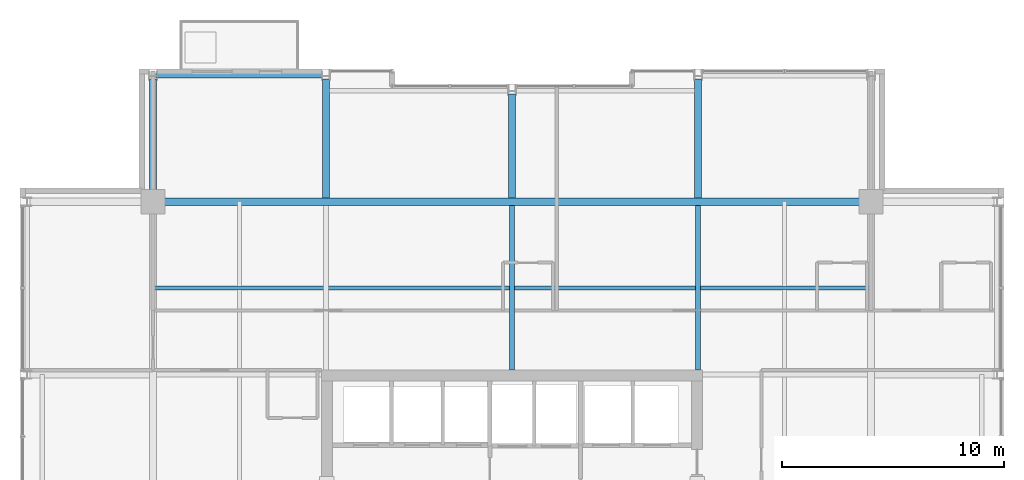
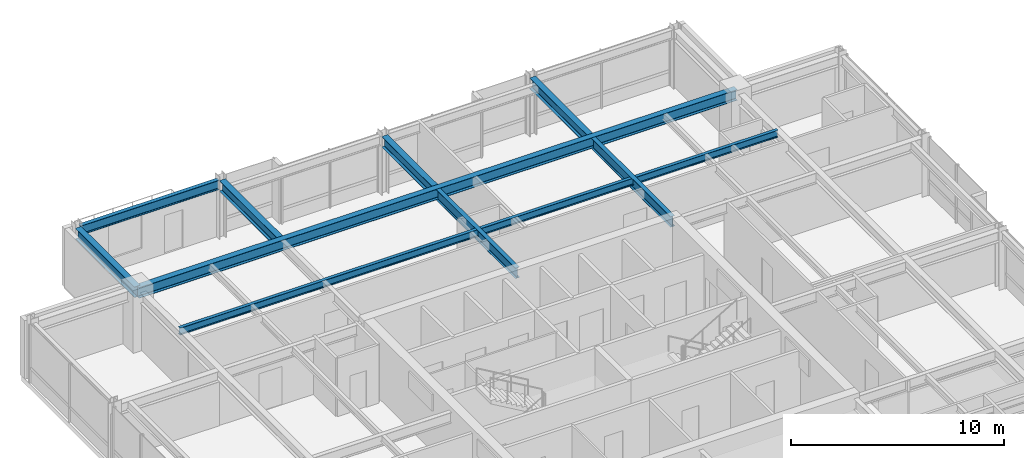
# One storey, part 20 of 32: 9 beams.
"""IFC4 building model written with IfcOpenShell, lengths in metres."""

from ifc_helpers import new_model, si_unit, direction, frame, origin, origin_2d, place, context, subcontext, project, spatial, i_section, extrude, material, material_profile, profile_set, type_object, element, save


model = new_model("IFC4")

# Units and contexts
model_context = context("Model", 3, precision=1e-05, world=origin(), true_north=direction((0.0, 1.0)))
body_context = subcontext(model_context, "Body", "Model", "MODEL_VIEW")
ifc_project = project(units=[si_unit("LENGTHUNIT", "METRE"), si_unit("AREAUNIT", "SQUARE_METRE"), si_unit("VOLUMEUNIT", "CUBIC_METRE"), si_unit("PLANEANGLEUNIT", "RADIAN"), si_unit("MASSUNIT", "GRAM", prefix="KILO")], contexts=[model_context])

# Site, building, storey
site_placement = place(None, origin())
site = spatial("IfcSite", under=ifc_project, at=site_placement, CompositionType="ELEMENT")
building_placement = place(site_placement, origin())
building = spatial("IfcBuilding", under=site, at=building_placement, Name="Drelvath Grand Hotel", CompositionType="ELEMENT")
storey_placement = place(building_placement, frame((0.0, 0.0, 223.10009765625)))
storey = spatial("IfcBuildingStorey", under=building, at=storey_placement, Name="L58", CompositionType="ELEMENT", Elevation=223.10009765625)

# Beams
ifc_material = material(Name="Steel ASTM A992 Gr 50", Category="steel")
ifc_material_profile_1 = material_profile(ifc_material, i_section(OverallWidth=0.177734375, OverallDepth=0.40673828125, WebThickness=0.0078125, FlangeThickness=0.0126953125, FilletRadius=0.014892578125, at=origin_2d()), Name="W16X40")
ifc_profile_set_1 = profile_set([ifc_material_profile_1], Name="Steel ASTM A992 Gr 50")
beam_type_1 = type_object("IfcBeamType", Name="Composite Floor Joist W16X40", PredefinedType="JOIST", material=ifc_profile_set_1)
beam_1_placement = place(storey_placement, frame((-16.199951171875, 39.300048828125, 3.136474609375), z_axis=(1.0, 0.0, 0.0), x_axis=(0.0, 1.0, 0.0)))
element("IfcBeam", 1, at=beam_1_placement, inside=storey, type_object=beam_type_1, Name="L58 Floor Joist J2", PredefinedType="JOIST", context=body_context, shape_type="SweptSolid", body=[
    extrude(i_section(OverallWidth=0.177734375, OverallDepth=0.40673828125, WebThickness=0.0078125, FlangeThickness=0.0126953125, FilletRadius=0.014892578125, at=origin_2d()), origin(), (0.0, 0.0, 1.0), 32.39990234375),
])
ifc_material_profile_2 = material_profile(ifc_material, i_section(OverallWidth=0.210205078125, OverallDepth=0.53662109375, WebThickness=0.010986328125, FlangeThickness=0.017333984375, FilletRadius=0.01806640625, at=origin_2d()), Name="W21X68")
ifc_profile_set_2 = profile_set([ifc_material_profile_2], Name="Steel ASTM A992 Gr 50")
beam_type_2 = type_object("IfcBeamType", Name="Perimeter Spandrel Beam W21X68", PredefinedType="SPANDREL", material=ifc_profile_set_2)
beam_2_placement = place(storey_placement, frame((-16.06005859375, 48.8798828125, 3.071533203125), z_axis=(1.0, 0.0, 0.0), x_axis=(0.0, 1.0, 0.0)))
element("IfcBeam", 2, at=beam_2_placement, inside=storey, type_object=beam_type_2, Name="L58 Spandrel North W", PredefinedType="SPANDREL", context=body_context, shape_type="SweptSolid", body=[
    extrude(i_section(OverallWidth=0.210205078125, OverallDepth=0.53662109375, WebThickness=0.010986328125, FlangeThickness=0.017333984375, FilletRadius=0.01806640625, at=origin_2d()), origin(), (0.0, 0.0, 1.0), 7.52001953125),
])
ifc_material_profile_3 = material_profile(ifc_material, i_section(OverallWidth=0.323974609375, OverallDepth=0.611083984375, WebThickness=0.0126953125, FlangeThickness=0.01904296875, FilletRadius=0.02197265625, at=origin_2d()), Name="W24X104")
ifc_profile_set_3 = profile_set([ifc_material_profile_3], Name="Steel ASTM A992 Gr 50")
beam_type_3 = type_object("IfcBeamType", Name="Primary Floor Girder W24X104", PredefinedType="BEAM", material=ifc_profile_set_3)
beam_3_placement = place(storey_placement, frame((-16.199951171875, 43.199951171875, 3.034423828125), z_axis=(1.0, 0.0, 0.0), x_axis=(0.0, 1.0, 0.0)))
element("IfcBeam", 3, at=beam_3_placement, inside=storey, type_object=beam_type_3, Name="L58 Mega Ring Girder North", PredefinedType="BEAM", context=body_context, shape_type="SweptSolid", body=[
    extrude(i_section(OverallWidth=0.323974609375, OverallDepth=0.611083984375, WebThickness=0.0126953125, FlangeThickness=0.01904296875, FilletRadius=0.02197265625, at=origin_2d()), origin(), (0.0, 0.0, 1.0), 32.39990234375),
])
beam_4_placement = place(storey_placement, frame((-16.199951171875, 43.199951171875, 3.034423828125), z_axis=(0.0, 1.0, 0.0), x_axis=(-1.0, 0.0, 0.0)))
element("IfcBeam", 4, at=beam_4_placement, inside=storey, type_object=beam_type_3, Name="L58 North Grid Girder 3", PredefinedType="BEAM", context=body_context, shape_type="SweptSolid", body=[
    extrude(i_section(OverallWidth=0.323974609375, OverallDepth=0.611083984375, WebThickness=0.0126953125, FlangeThickness=0.01904296875, FilletRadius=0.02197265625, at=origin_2d()), origin(), (0.0, 0.0, 1.0), 5.5400390625),
])
beam_5_placement = place(storey_placement, frame((-8.39990234375, 43.362060546875, 3.034423828125), z_axis=(0.0, 1.0, 0.0), x_axis=(-1.0, 0.0, 0.0)))
element("IfcBeam", 5, at=beam_5_placement, inside=storey, type_object=beam_type_3, Name="L58 North Wing Girder 4", PredefinedType="BEAM", context=body_context, shape_type="SweptSolid", body=[
    extrude(i_section(OverallWidth=0.323974609375, OverallDepth=0.611083984375, WebThickness=0.0126953125, FlangeThickness=0.01904296875, FilletRadius=0.02197265625, at=origin_2d()), origin(), (0.0, 0.0, 1.0), 5.3779296875),
])
beam_6_placement = place(storey_placement, frame((0.0, 43.362060546875, 3.034423828125), z_axis=(0.0, 1.0, 0.0), x_axis=(-1.0, 0.0, 0.0)))
element("IfcBeam", 6, at=beam_6_placement, inside=storey, type_object=beam_type_3, Name="L58 North Wing Girder 5", PredefinedType="BEAM", context=body_context, shape_type="SweptSolid", body=[
    extrude(i_section(OverallWidth=0.323974609375, OverallDepth=0.611083984375, WebThickness=0.0126953125, FlangeThickness=0.01904296875, FilletRadius=0.02197265625, at=origin_2d()), origin(), (0.0, 0.0, 1.0), 4.697998046875),
])
beam_7_placement = place(storey_placement, frame((8.39990234375, 43.362060546875, 3.034423828125), z_axis=(0.0, 1.0, 0.0), x_axis=(-1.0, 0.0, 0.0)))
element("IfcBeam", 7, at=beam_7_placement, inside=storey, type_object=beam_type_3, Name="L58 North Wing Girder 6", PredefinedType="BEAM", context=body_context, shape_type="SweptSolid", body=[
    extrude(i_section(OverallWidth=0.323974609375, OverallDepth=0.611083984375, WebThickness=0.0126953125, FlangeThickness=0.01904296875, FilletRadius=0.02197265625, at=origin_2d()), origin(), (0.0, 0.0, 1.0), 5.3779296875),
])
ifc_material_profile_4 = material_profile(ifc_material, i_section(OverallWidth=0.228271484375, OverallDepth=0.607666015625, WebThickness=0.01123046875, FlangeThickness=0.017333984375, FilletRadius=0.02001953125, at=origin_2d()), Name="W24X76")
ifc_profile_set_4 = profile_set([ifc_material_profile_4], Name="Steel ASTM A992 Gr 50")
beam_type_4 = type_object("IfcBeamType", Name="Primary Floor Girder W24X76", PredefinedType="BEAM", material=ifc_profile_set_4)
for number, where, z_axis, x_axis, name in (
    (8, (0.0, 35.60009765625, 3.0361328125), (0.0, 1.0, 0.0), (-1.0, 0.0, 0.0), "L58 North Core Tie 5"),
    (9, (8.39990234375, 35.60009765625, 3.0361328125), (0.0, 1.0, 0.0), (-1.0, 0.0, 0.0), "L58 North Core Tie 6"),
):
    element("IfcBeam", number, at=place(storey_placement, frame(where, z_axis=z_axis, x_axis=x_axis)), inside=storey, type_object=beam_type_4, Name=name, PredefinedType="BEAM", context=body_context, shape_type="SweptSolid", body=[
        extrude(i_section(OverallWidth=0.228271484375, OverallDepth=0.607666015625, WebThickness=0.01123046875, FlangeThickness=0.017333984375, FilletRadius=0.02001953125, at=origin_2d()), origin(), (0.0, 0.0, 1.0), 7.43798828125),
    ])

save(model, "model.ifc")
